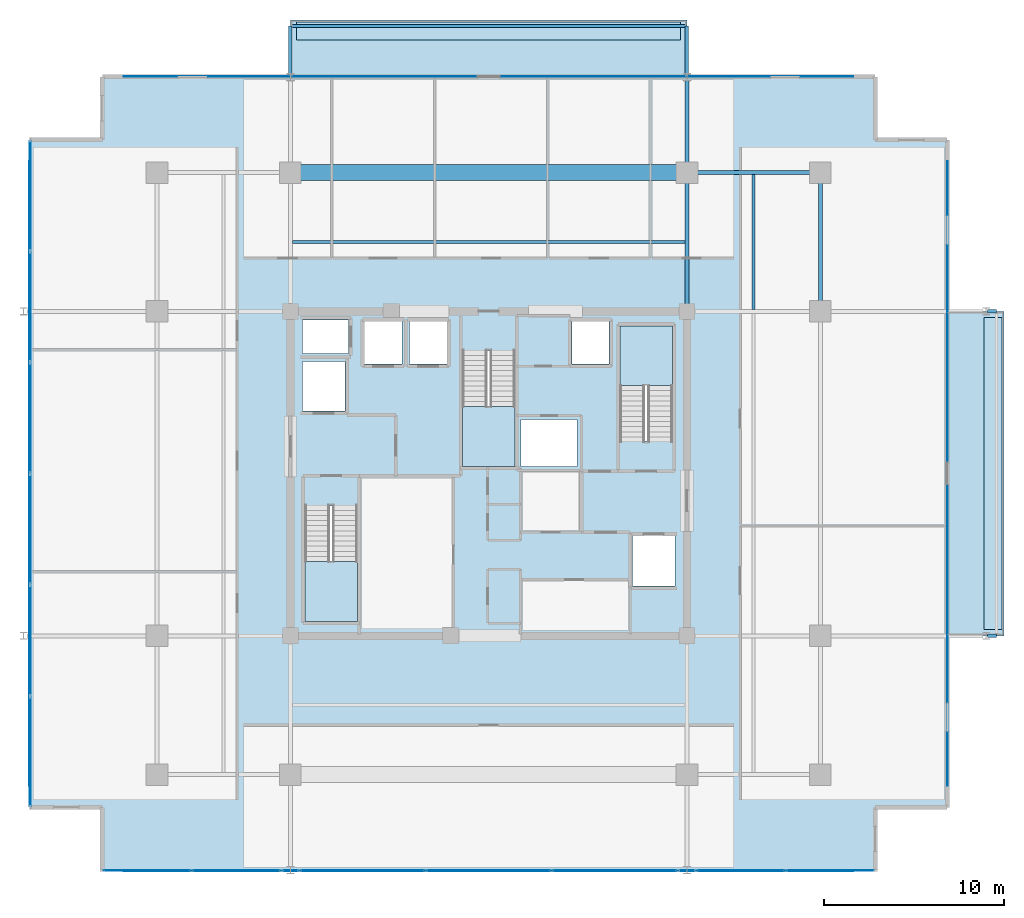
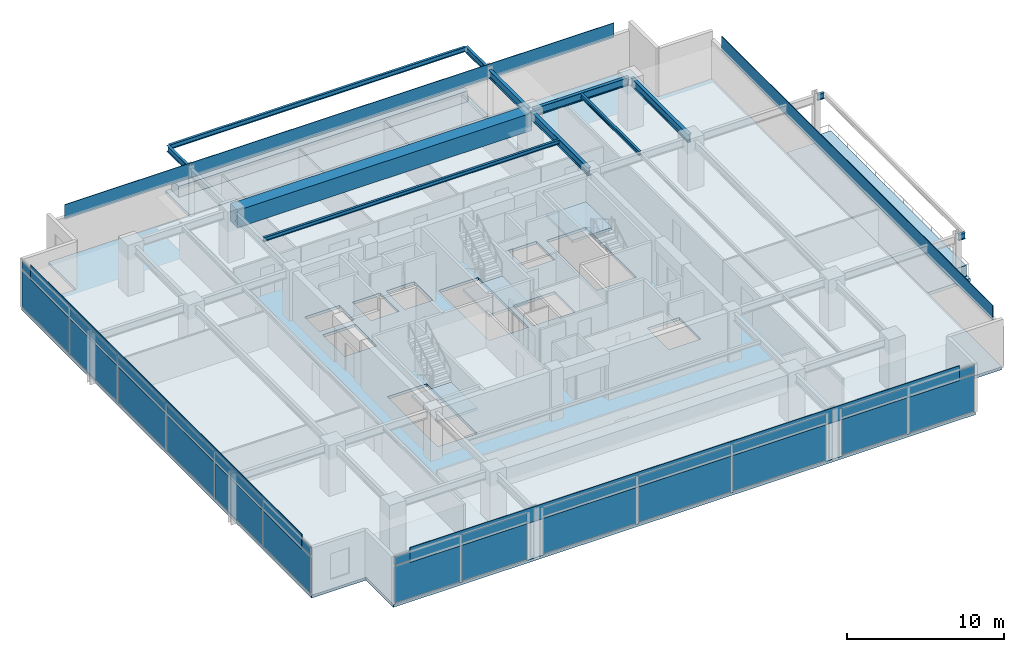
# One storey, part 12 of 20: 30 plates, 12 beams, 8 slabs, 7 elements without a shape of their own.
"""IFC4 building model written with IfcOpenShell, lengths in metres."""

from ifc_helpers import new_model, si_unit, direction, frame, origin, origin_2d, place, context, subcontext, project, spatial, polyline, rectangle, i_section, outline, extrude, material, layer, layer_set, material_profile, profile_set, type_object, element, aggregate, save


model = new_model("IFC4")

# Units and contexts
model_context = context("Model", 3, precision=1e-05, world=origin(), true_north=direction((0.0, 1.0)))
body_context = subcontext(model_context, "Body", "Model", "MODEL_VIEW")
ifc_project = project(units=[si_unit("LENGTHUNIT", "METRE"), si_unit("AREAUNIT", "SQUARE_METRE"), si_unit("VOLUMEUNIT", "CUBIC_METRE"), si_unit("PLANEANGLEUNIT", "RADIAN"), si_unit("MASSUNIT", "GRAM", prefix="KILO")], contexts=[model_context])

# Site, building, storey
site_placement = place(None, origin())
site = spatial("IfcSite", under=ifc_project, at=site_placement, CompositionType="ELEMENT")
building_placement = place(site_placement, origin())
building = spatial("IfcBuilding", under=site, at=building_placement, Name="Kovane Verandah Tower", CompositionType="ELEMENT")
storey_placement = place(building_placement, frame((0.0, 0.0, 287.199951171875)))
storey = spatial("IfcBuildingStorey", under=building, at=storey_placement, Name="L67", CompositionType="ELEMENT", Elevation=287.199951171875)

# Beams
ifc_material_1 = material(Name="Concrete C80/95", Category="concrete")
ifc_material_profile_1 = material_profile(ifc_material_1, rectangle(XDim=0.89990234375, YDim=1.35009765625, at=origin_2d()), Name="RCB900x1350")
ifc_profile_set_1 = profile_set([ifc_material_profile_1], Name="Concrete C80/95")
beam_type_1 = type_object("IfcBeamType", Name="BM-TR-900x1350", PredefinedType="BEAM", material=ifc_profile_set_1)
beam_1_placement = place(storey_placement, frame((29.179931640625, 44.199951171875, 3.110107421875), z_axis=(1.0, 0.0, 0.0), x_axis=(0.0, 1.0, 0.0)))
element("IfcBeam", 1, at=beam_1_placement, inside=storey, type_object=beam_type_1, Name="L67 Primary Tower Girder G-RN2", PredefinedType="BEAM", context=body_context, shape_type="SweptSolid", body=[
    extrude(rectangle(XDim=0.89990234375, YDim=1.35009765625, at=origin_2d()), origin(), (0.0, 0.0, 1.0), 21.64013671875),
])
ifc_material_2 = material(Name="Steel S355", Category="steel")
ifc_material_profile_2 = material_profile(ifc_material_2, i_section(OverallWidth=0.230224609375, OverallDepth=0.6171875, WebThickness=0.01318359375, FlangeThickness=0.022216796875, FilletRadius=0.0126953125, at=origin_2d()), Name="UB610x229x140")
ifc_profile_set_2 = profile_set([ifc_material_profile_2], Name="Steel S355")
beam_type_2 = type_object("IfcBeamType", Name="BM-UB610x140", PredefinedType="BEAM", material=ifc_profile_set_2)
beam_2_placement = place(storey_placement, frame((51.179931640625, 44.199951171875, 3.4765625), z_axis=(1.0, 0.0, 0.0), x_axis=(0.0, 1.0, 0.0)))
element("IfcBeam", 2, at=beam_2_placement, inside=storey, type_object=beam_type_2, Name="L67 Primary Tower Girder G-RN3", PredefinedType="BEAM", context=body_context, shape_type="SweptSolid", body=[
    extrude(i_section(OverallWidth=0.230224609375, OverallDepth=0.6171875, WebThickness=0.01318359375, FlangeThickness=0.022216796875, FilletRadius=0.0126953125, at=origin_2d()), origin(), (0.0, 0.0, 1.0), 7.0400390625),
])
for number, where, z_axis, x_axis, name in (
    (3, (58.39990234375, 36.679931640625, 3.4765625), (0.0, 1.0, 0.0), (-1.0, 0.0, 0.0), "L67 Primary Tower Girder G-RE3"),
    (4, (51.0, 36.679931640625, 3.4765625), (0.0, 1.0, 0.0), (-1.0, 0.0, 0.0), "L67 Primary Tower Girder G-N2"),
):
    element("IfcBeam", number, at=place(storey_placement, frame(where, z_axis=z_axis, x_axis=x_axis)), inside=storey, type_object=beam_type_2, Name=name, PredefinedType="BEAM", context=body_context, shape_type="SweptSolid", body=[
        extrude(i_section(OverallWidth=0.230224609375, OverallDepth=0.6171875, WebThickness=0.01318359375, FlangeThickness=0.022216796875, FilletRadius=0.0126953125, at=origin_2d()), origin(), (0.0, 0.0, 1.0), 7.340087890625),
    ])
beam_3_placement = place(storey_placement, frame((51.0, 44.3798828125, 3.451416015625), z_axis=(0.0, 1.0, 0.0), x_axis=(-1.0, 0.0, 0.0)))
element("IfcBeam", 5, at=beam_3_placement, inside=storey, type_object=beam_type_2, Name="L67 Primary Tower Girder G-VN2", PredefinedType="BEAM", context=body_context, shape_type="SweptSolid", body=[
    extrude(i_section(OverallWidth=0.230224609375, OverallDepth=0.6171875, WebThickness=0.01318359375, FlangeThickness=0.022216796875, FilletRadius=0.0126953125, at=origin_2d()), origin(), (0.0, 0.0, 1.0), 4.940185546875),
])
ifc_material_profile_3 = material_profile(ifc_material_2, i_section(OverallWidth=0.1669921875, OverallDepth=0.310302734375, WebThickness=0.0078125, FlangeThickness=0.013671875, FilletRadius=0.0087890625, at=origin_2d()), Name="UB305x165x54")
ifc_profile_set_3 = profile_set([ifc_material_profile_3], Name="Steel S355")
beam_type_3 = type_object("IfcBeamType", Name="JST-UB305x54", PredefinedType="JOIST", material=ifc_profile_set_3)
beam_4_placement = place(storey_placement, frame((29.113037109375, 40.35009765625, 3.6298828125), z_axis=(1.0, 0.0, 0.0), x_axis=(0.0, 1.0, 0.0)))
element("IfcBeam", 6, at=beam_4_placement, inside=storey, type_object=beam_type_3, Name="L67 Secondary Composite Joist J-N1", PredefinedType="JOIST", context=body_context, shape_type="SweptSolid", body=[
    extrude(i_section(OverallWidth=0.1669921875, OverallDepth=0.310302734375, WebThickness=0.0078125, FlangeThickness=0.013671875, FilletRadius=0.0087890625, at=origin_2d()), origin(), (0.0, 0.0, 1.0), 21.77392578125),
])
beam_5_placement = place(storey_placement, frame((54.699951171875, 36.613037109375, 3.6298828125), z_axis=(0.0, 1.0, 0.0), x_axis=(-1.0, 0.0, 0.0)))
element("IfcBeam", 7, at=beam_5_placement, inside=storey, type_object=beam_type_3, Name="L67 Secondary Composite Joist J-NE1", PredefinedType="JOIST", context=body_context, shape_type="SweptSolid", body=[
    extrude(i_section(OverallWidth=0.1669921875, OverallDepth=0.310302734375, WebThickness=0.0078125, FlangeThickness=0.013671875, FilletRadius=0.0087890625, at=origin_2d()), origin(), (0.0, 0.0, 1.0), 7.473876953125),
])
ifc_material_profile_4 = material_profile(ifc_material_2, i_section(OverallWidth=0.19287109375, OverallDepth=0.46728515625, WebThickness=0.011474609375, FlangeThickness=0.01953125, FilletRadius=0.01025390625, at=origin_2d()), Name="UB457x191x98")
ifc_profile_set_4 = profile_set([ifc_material_profile_4], Name="Steel S355")
beam_type_4 = type_object("IfcBeamType", Name="JST-UB457x98", PredefinedType="JOIST", material=ifc_profile_set_4)
for number, where, z_axis, x_axis, name in (
    (8, (29.0, 49.580078125, 3.5263671875), (0.0, 1.0, 0.0), (-1.0, 0.0, 0.0), "L67 North Planter Girder 1"),
    (9, (51.0, 49.580078125, 3.5263671875), (0.0, 1.0, 0.0), (-1.0, 0.0, 0.0), "L67 North Planter Girder 2"),
):
    element("IfcBeam", number, at=place(storey_placement, frame(where, z_axis=z_axis, x_axis=x_axis)), inside=storey, type_object=beam_type_4, Name=name, PredefinedType="JOIST", context=body_context, shape_type="SweptSolid", body=[
        extrude(i_section(OverallWidth=0.19287109375, OverallDepth=0.46728515625, WebThickness=0.011474609375, FlangeThickness=0.01953125, FilletRadius=0.01025390625, at=origin_2d()), origin(), (0.0, 0.0, 1.0), 2.75048828125),
    ])
for number, where, z_axis, x_axis, name in (
    (10, (67.679931640625, 18.5, 3.5263671875), (1.0, 0.0, 0.0), (0.0, 1.0, 0.0), "L67 East Planter Girder 1"),
    (11, (67.679931640625, 36.5, 3.5263671875), (1.0, 0.0, 0.0), (0.0, 1.0, 0.0), "L67 East Planter Girder 2"),
):
    element("IfcBeam", number, at=place(storey_placement, frame(where, z_axis=z_axis, x_axis=x_axis)), inside=storey, type_object=beam_type_4, Name=name, PredefinedType="JOIST", context=body_context, shape_type="SweptSolid", body=[
        extrude(i_section(OverallWidth=0.19287109375, OverallDepth=0.46728515625, WebThickness=0.011474609375, FlangeThickness=0.01953125, FilletRadius=0.01025390625, at=origin_2d()), origin(), (0.0, 0.0, 1.0), 0.501708984375),
    ])
ifc_material_profile_5 = material_profile(ifc_material_2, i_section(OverallWidth=0.173095703125, OverallDepth=0.36328125, WebThickness=0.009033203125, FlangeThickness=0.015625, FilletRadius=0.01025390625, at=origin_2d()), Name="UB356x171x67")
ifc_profile_set_5 = profile_set([ifc_material_profile_5], Name="Steel S355")
beam_type_5 = type_object("IfcBeamType", Name="SPD-UB356x67", PredefinedType="USERDEFINED", material=ifc_profile_set_5)
beam_6_placement = place(storey_placement, frame((29.094482421875, 52.33056640625, 3.578369140625), z_axis=(1.0, 0.0, 0.0), x_axis=(0.0, 1.0, 0.0)))
element("IfcBeam", 12, at=beam_6_placement, inside=storey, type_object=beam_type_5, Name="L67 North Planter Edge Spandrel", ObjectType="SPANDREL", PredefinedType="USERDEFINED", context=body_context, shape_type="SweptSolid", body=[
    extrude(i_section(OverallWidth=0.173095703125, OverallDepth=0.36328125, WebThickness=0.009033203125, FlangeThickness=0.015625, FilletRadius=0.01025390625, at=origin_2d()), origin(), (0.0, 0.0, 1.0), 21.81103515625),
])

# Curtain wall, plates
ifc_material_3 = material(Name="Champagne Anodised Aluminium Frame with Low-E Clear Laminated Glass", Category="aluminium")
curtain_wall_type = type_object("IfcCurtainWallType", Name="CW-SYS-05-HIGH", PredefinedType="NOTDEFINED", material=ifc_material_3)
curtain_wall_1_placement = place(storey_placement, origin())
curtain_wall_1 = element("IfcCurtainWall", 13, at=curtain_wall_1_placement, inside=storey, type_object=curtain_wall_type, Name="L67 S Unitised Curtain Wall-1", PredefinedType="NOTDEFINED")
ifc_material_4 = material(Name="Pale Champagne Anodised Aluminium Insulated Spandrel", Category="aluminium")
ifc_layer_1 = layer(ifc_material_4, 0.0400390625)
ifc_layer_set_1 = layer_set([ifc_layer_1], Name="Pale Champagne Anodised Aluminium Insulated Spandrel")
plate_type_1 = type_object("IfcPlateType", Name="PL-CW-SPD-40", PredefinedType="SHEET", material=ifc_layer_set_1)
plate_1_placement = place(storey_placement, frame((21.0419921875, 5.485595703125, 3.05517578125), z_axis=(0.0, 0.0, 1.0), x_axis=(1.0, 0.0, 0.0)))
plate_1 = element("IfcPlate", 14, at=plate_1_placement, type_object=plate_type_1, Name="L67 S Unitised Curtain Wall-1 Spandrel Panel 1", PredefinedType="SHEET", context=body_context, shape_type="SweptSolid", body=[
    extrude(rectangle(XDim=4.818603515625, YDim=0.0400390625, at=origin_2d()), origin(), (0.0, 0.0, 1.0), 0.639892578125),
])
plate_2_placement = place(storey_placement, frame((26.000732421875, 5.485595703125, 3.05517578125), z_axis=(0.0, 0.0, 1.0), x_axis=(1.0, 0.0, 0.0)))
plate_2 = element("IfcPlate", 15, at=plate_2_placement, type_object=plate_type_1, Name="L67 S Unitised Curtain Wall-1 Spandrel Panel 2", PredefinedType="SHEET", context=body_context, shape_type="SweptSolid", body=[
    extrude(rectangle(XDim=4.818603515625, YDim=0.0400390625, at=origin_2d()), origin(), (0.0, 0.0, 1.0), 0.639892578125),
])

curtain_wall_2_placement = place(storey_placement, origin())
curtain_wall_2 = element("IfcCurtainWall", 16, at=curtain_wall_2_placement, inside=storey, type_object=curtain_wall_type, Name="L67 S Unitised Curtain Wall-2", PredefinedType="NOTDEFINED")
plate_3_placement = place(storey_placement, frame((33.01318359375, 5.485595703125, 3.05517578125), z_axis=(0.0, 0.0, 1.0), x_axis=(1.0, 0.0, 0.0)))
plate_3 = element("IfcPlate", 17, at=plate_3_placement, type_object=plate_type_1, Name="L67 S Unitised Curtain Wall-2 Spandrel Panel 1", PredefinedType="SHEET", context=body_context, shape_type="SweptSolid", body=[
    extrude(rectangle(XDim=6.8466796875, YDim=0.0400390625, at=origin_2d()), origin(), (0.0, 0.0, 1.0), 0.639892578125),
])
plate_4_placement = place(storey_placement, frame((40.0, 5.485595703125, 3.05517578125), z_axis=(0.0, 0.0, 1.0), x_axis=(1.0, 0.0, 0.0)))
plate_4 = element("IfcPlate", 18, at=plate_4_placement, type_object=plate_type_1, Name="L67 S Unitised Curtain Wall-2 Spandrel Panel 2", PredefinedType="SHEET", context=body_context, shape_type="SweptSolid", body=[
    extrude(rectangle(XDim=6.8466796875, YDim=0.0400390625, at=origin_2d()), origin(), (0.0, 0.0, 1.0), 0.639892578125),
])
plate_5_placement = place(storey_placement, frame((46.98681640625, 5.485595703125, 3.05517578125), z_axis=(0.0, 0.0, 1.0), x_axis=(1.0, 0.0, 0.0)))
plate_5 = element("IfcPlate", 19, at=plate_5_placement, type_object=plate_type_1, Name="L67 S Unitised Curtain Wall-2 Spandrel Panel 3", PredefinedType="SHEET", context=body_context, shape_type="SweptSolid", body=[
    extrude(rectangle(XDim=6.8466796875, YDim=0.0400390625, at=origin_2d()), origin(), (0.0, 0.0, 1.0), 0.639892578125),
])

curtain_wall_3_placement = place(storey_placement, origin())
curtain_wall_3 = element("IfcCurtainWall", 20, at=curtain_wall_3_placement, inside=storey, type_object=curtain_wall_type, Name="L67 S Unitised Curtain Wall-3", PredefinedType="NOTDEFINED")
plate_6_placement = place(storey_placement, frame((53.99951171875, 5.485595703125, 3.05517578125), z_axis=(0.0, 0.0, 1.0), x_axis=(1.0, 0.0, 0.0)))
plate_6 = element("IfcPlate", 21, at=plate_6_placement, type_object=plate_type_1, Name="L67 S Unitised Curtain Wall-3 Spandrel Panel 1", PredefinedType="SHEET", context=body_context, shape_type="SweptSolid", body=[
    extrude(rectangle(XDim=4.818603515625, YDim=0.0400390625, at=origin_2d()), origin(), (0.0, 0.0, 1.0), 0.639892578125),
])
plate_7_placement = place(storey_placement, frame((58.9580078125, 5.485595703125, 3.05517578125), z_axis=(0.0, 0.0, 1.0), x_axis=(1.0, 0.0, 0.0)))
plate_7 = element("IfcPlate", 22, at=plate_7_placement, type_object=plate_type_1, Name="L67 S Unitised Curtain Wall-3 Spandrel Panel 2", PredefinedType="SHEET", context=body_context, shape_type="SweptSolid", body=[
    extrude(rectangle(XDim=4.818603515625, YDim=0.0400390625, at=origin_2d()), origin(), (0.0, 0.0, 1.0), 0.639892578125),
])

curtain_wall_4_placement = place(storey_placement, origin())
curtain_wall_4 = element("IfcCurtainWall", 23, at=curtain_wall_4_placement, inside=storey, type_object=curtain_wall_type, Name="L67 W Unitised Curtain Wall", PredefinedType="NOTDEFINED")
plate_8_placement = place(storey_placement, frame((14.5625, 42.9287109375, 3.05517578125), z_axis=(0.0, 0.0, 1.0), x_axis=(0.0, -1.0, 0.0)))
plate_8 = element("IfcPlate", 24, at=plate_8_placement, type_object=plate_type_1, Name="L67 W Unitised Curtain Wall Spandrel Panel 1", PredefinedType="SHEET", context=body_context, shape_type="SweptSolid", body=[
    extrude(rectangle(XDim=6.031494140625, YDim=0.0400390625, at=origin_2d()), origin(), (0.0, 0.0, 1.0), 0.639892578125),
])
plate_9_placement = place(storey_placement, frame((14.5625, 36.757080078125, 3.05517578125), z_axis=(0.0, 0.0, 1.0), x_axis=(0.0, -1.0, 0.0)))
plate_9 = element("IfcPlate", 25, at=plate_9_placement, type_object=plate_type_1, Name="L67 W Unitised Curtain Wall Spandrel Panel 2", PredefinedType="SHEET", context=body_context, shape_type="SweptSolid", body=[
    extrude(rectangle(XDim=6.031494140625, YDim=0.0400390625, at=origin_2d()), origin(), (0.0, 0.0, 1.0), 0.639892578125),
])
plate_10_placement = place(storey_placement, frame((14.5625, 30.585693359375, 3.05517578125), z_axis=(0.0, 0.0, 1.0), x_axis=(0.0, -1.0, 0.0)))
plate_10 = element("IfcPlate", 26, at=plate_10_placement, type_object=plate_type_1, Name="L67 W Unitised Curtain Wall Spandrel Panel 3", PredefinedType="SHEET", context=body_context, shape_type="SweptSolid", body=[
    extrude(rectangle(XDim=6.031494140625, YDim=0.0400390625, at=origin_2d()), origin(), (0.0, 0.0, 1.0), 0.639892578125),
])
plate_11_placement = place(storey_placement, frame((14.5625, 24.414306640625, 3.05517578125), z_axis=(0.0, 0.0, 1.0), x_axis=(0.0, -1.0, 0.0)))
plate_11 = element("IfcPlate", 27, at=plate_11_placement, type_object=plate_type_1, Name="L67 W Unitised Curtain Wall Spandrel Panel 4", PredefinedType="SHEET", context=body_context, shape_type="SweptSolid", body=[
    extrude(rectangle(XDim=6.031494140625, YDim=0.0400390625, at=origin_2d()), origin(), (0.0, 0.0, 1.0), 0.639892578125),
])
plate_12_placement = place(storey_placement, frame((14.5625, 18.242919921875, 3.05517578125), z_axis=(0.0, 0.0, 1.0), x_axis=(0.0, -1.0, 0.0)))
plate_12 = element("IfcPlate", 28, at=plate_12_placement, type_object=plate_type_1, Name="L67 W Unitised Curtain Wall Spandrel Panel 5", PredefinedType="SHEET", context=body_context, shape_type="SweptSolid", body=[
    extrude(rectangle(XDim=6.031494140625, YDim=0.0400390625, at=origin_2d()), origin(), (0.0, 0.0, 1.0), 0.639892578125),
])
plate_13_placement = place(storey_placement, frame((14.5625, 12.0712890625, 3.05517578125), z_axis=(0.0, 0.0, 1.0), x_axis=(0.0, -1.0, 0.0)))
plate_13 = element("IfcPlate", 29, at=plate_13_placement, type_object=plate_type_1, Name="L67 W Unitised Curtain Wall Spandrel Panel 6", PredefinedType="SHEET", context=body_context, shape_type="SweptSolid", body=[
    extrude(rectangle(XDim=6.031494140625, YDim=0.0400390625, at=origin_2d()), origin(), (0.0, 0.0, 1.0), 0.639892578125),
])

# Plate
ifc_material_5 = material(Name="Clear Low-E Laminated Double Glazing", Category="glass")
ifc_layer_2 = layer(ifc_material_5, 0.031982421875)
ifc_layer_set_2 = layer_set([ifc_layer_2], Name="Clear Low-E Laminated Double Glazing")
plate_type_2 = type_object("IfcPlateType", Name="PL-CW-VIS-32", PredefinedType="CURTAIN_PANEL", material=ifc_layer_set_2)
plate_14_placement = place(storey_placement, frame((21.0419921875, 5.485595703125, 0.10009765625), z_axis=(0.0, 0.0, 1.0), x_axis=(1.0, 0.0, 0.0)))
plate_14 = element("IfcPlate", 30, at=plate_14_placement, type_object=plate_type_2, Name="L67 S Unitised Curtain Wall-1 Vision Panel 1", PredefinedType="CURTAIN_PANEL", context=body_context, shape_type="SweptSolid", body=[
    extrude(rectangle(XDim=4.818603515625, YDim=0.031982421875, at=origin_2d()), origin(), (0.0, 0.0, 1.0), 2.85498046875),
])

plate_15_placement = place(storey_placement, frame((26.000732421875, 5.485595703125, 0.10009765625), z_axis=(0.0, 0.0, 1.0), x_axis=(1.0, 0.0, 0.0)))
plate_15 = element("IfcPlate", 31, at=plate_15_placement, type_object=plate_type_2, Name="L67 S Unitised Curtain Wall-1 Vision Panel 2", PredefinedType="CURTAIN_PANEL", context=body_context, shape_type="SweptSolid", body=[
    extrude(rectangle(XDim=4.818603515625, YDim=0.031982421875, at=origin_2d()), origin(), (0.0, 0.0, 1.0), 2.85498046875),
])

aggregate(curtain_wall_1, [plate_14, plate_1, plate_15, plate_2])

plate_16_placement = place(storey_placement, frame((33.01318359375, 5.485595703125, 0.10009765625), z_axis=(0.0, 0.0, 1.0), x_axis=(1.0, 0.0, 0.0)))
plate_16 = element("IfcPlate", 32, at=plate_16_placement, type_object=plate_type_2, Name="L67 S Unitised Curtain Wall-2 Vision Panel 1", PredefinedType="CURTAIN_PANEL", context=body_context, shape_type="SweptSolid", body=[
    extrude(rectangle(XDim=6.8466796875, YDim=0.031982421875, at=origin_2d()), origin(), (0.0, 0.0, 1.0), 2.85498046875),
])

plate_17_placement = place(storey_placement, frame((40.0, 5.485595703125, 0.10009765625), z_axis=(0.0, 0.0, 1.0), x_axis=(1.0, 0.0, 0.0)))
plate_17 = element("IfcPlate", 33, at=plate_17_placement, type_object=plate_type_2, Name="L67 S Unitised Curtain Wall-2 Vision Panel 2", PredefinedType="CURTAIN_PANEL", context=body_context, shape_type="SweptSolid", body=[
    extrude(rectangle(XDim=6.8466796875, YDim=0.031982421875, at=origin_2d()), origin(), (0.0, 0.0, 1.0), 2.85498046875),
])

plate_18_placement = place(storey_placement, frame((46.98681640625, 5.485595703125, 0.10009765625), z_axis=(0.0, 0.0, 1.0), x_axis=(1.0, 0.0, 0.0)))
plate_18 = element("IfcPlate", 34, at=plate_18_placement, type_object=plate_type_2, Name="L67 S Unitised Curtain Wall-2 Vision Panel 3", PredefinedType="CURTAIN_PANEL", context=body_context, shape_type="SweptSolid", body=[
    extrude(rectangle(XDim=6.8466796875, YDim=0.031982421875, at=origin_2d()), origin(), (0.0, 0.0, 1.0), 2.85498046875),
])

aggregate(curtain_wall_2, [plate_16, plate_3, plate_17, plate_4, plate_18, plate_5])

plate_19_placement = place(storey_placement, frame((53.99951171875, 5.485595703125, 0.10009765625), z_axis=(0.0, 0.0, 1.0), x_axis=(1.0, 0.0, 0.0)))
plate_19 = element("IfcPlate", 35, at=plate_19_placement, type_object=plate_type_2, Name="L67 S Unitised Curtain Wall-3 Vision Panel 1", PredefinedType="CURTAIN_PANEL", context=body_context, shape_type="SweptSolid", body=[
    extrude(rectangle(XDim=4.818603515625, YDim=0.031982421875, at=origin_2d()), origin(), (0.0, 0.0, 1.0), 2.85498046875),
])

plate_20_placement = place(storey_placement, frame((58.9580078125, 5.485595703125, 0.10009765625), z_axis=(0.0, 0.0, 1.0), x_axis=(1.0, 0.0, 0.0)))
plate_20 = element("IfcPlate", 36, at=plate_20_placement, type_object=plate_type_2, Name="L67 S Unitised Curtain Wall-3 Vision Panel 2", PredefinedType="CURTAIN_PANEL", context=body_context, shape_type="SweptSolid", body=[
    extrude(rectangle(XDim=4.818603515625, YDim=0.031982421875, at=origin_2d()), origin(), (0.0, 0.0, 1.0), 2.85498046875),
])

aggregate(curtain_wall_3, [plate_19, plate_6, plate_20, plate_7])

plate_21_placement = place(storey_placement, frame((14.5625, 42.9287109375, 0.10009765625), z_axis=(0.0, 0.0, 1.0), x_axis=(0.0, -1.0, 0.0)))
plate_21 = element("IfcPlate", 37, at=plate_21_placement, type_object=plate_type_2, Name="L67 W Unitised Curtain Wall Vision Panel 1", PredefinedType="CURTAIN_PANEL", context=body_context, shape_type="SweptSolid", body=[
    extrude(rectangle(XDim=6.031494140625, YDim=0.031982421875, at=origin_2d()), origin(), (0.0, 0.0, 1.0), 2.85498046875),
])

plate_22_placement = place(storey_placement, frame((14.5625, 36.757080078125, 0.10009765625), z_axis=(0.0, 0.0, 1.0), x_axis=(0.0, -1.0, 0.0)))
plate_22 = element("IfcPlate", 38, at=plate_22_placement, type_object=plate_type_2, Name="L67 W Unitised Curtain Wall Vision Panel 2", PredefinedType="CURTAIN_PANEL", context=body_context, shape_type="SweptSolid", body=[
    extrude(rectangle(XDim=6.031494140625, YDim=0.031982421875, at=origin_2d()), origin(), (0.0, 0.0, 1.0), 2.85498046875),
])

plate_23_placement = place(storey_placement, frame((14.5625, 30.585693359375, 0.10009765625), z_axis=(0.0, 0.0, 1.0), x_axis=(0.0, -1.0, 0.0)))
plate_23 = element("IfcPlate", 39, at=plate_23_placement, type_object=plate_type_2, Name="L67 W Unitised Curtain Wall Vision Panel 3", PredefinedType="CURTAIN_PANEL", context=body_context, shape_type="SweptSolid", body=[
    extrude(rectangle(XDim=6.031494140625, YDim=0.031982421875, at=origin_2d()), origin(), (0.0, 0.0, 1.0), 2.85498046875),
])

plate_24_placement = place(storey_placement, frame((14.5625, 24.414306640625, 0.10009765625), z_axis=(0.0, 0.0, 1.0), x_axis=(0.0, -1.0, 0.0)))
plate_24 = element("IfcPlate", 40, at=plate_24_placement, type_object=plate_type_2, Name="L67 W Unitised Curtain Wall Vision Panel 4", PredefinedType="CURTAIN_PANEL", context=body_context, shape_type="SweptSolid", body=[
    extrude(rectangle(XDim=6.031494140625, YDim=0.031982421875, at=origin_2d()), origin(), (0.0, 0.0, 1.0), 2.85498046875),
])

plate_25_placement = place(storey_placement, frame((14.5625, 18.242919921875, 0.10009765625), z_axis=(0.0, 0.0, 1.0), x_axis=(0.0, -1.0, 0.0)))
plate_25 = element("IfcPlate", 41, at=plate_25_placement, type_object=plate_type_2, Name="L67 W Unitised Curtain Wall Vision Panel 5", PredefinedType="CURTAIN_PANEL", context=body_context, shape_type="SweptSolid", body=[
    extrude(rectangle(XDim=6.031494140625, YDim=0.031982421875, at=origin_2d()), origin(), (0.0, 0.0, 1.0), 2.85498046875),
])

plate_26_placement = place(storey_placement, frame((14.5625, 12.0712890625, 0.10009765625), z_axis=(0.0, 0.0, 1.0), x_axis=(0.0, -1.0, 0.0)))
plate_26 = element("IfcPlate", 42, at=plate_26_placement, type_object=plate_type_2, Name="L67 W Unitised Curtain Wall Vision Panel 6", PredefinedType="CURTAIN_PANEL", context=body_context, shape_type="SweptSolid", body=[
    extrude(rectangle(XDim=6.031494140625, YDim=0.031982421875, at=origin_2d()), origin(), (0.0, 0.0, 1.0), 2.85498046875),
])

aggregate(curtain_wall_4, [plate_21, plate_8, plate_22, plate_9, plate_23, plate_10, plate_24, plate_11, plate_25, plate_12, plate_26, plate_13])

# Plates
ifc_material_6 = material(Name="Perforated Pale Champagne Anodised Aluminium Solar Screen", Category="aluminium")
ifc_layer_3 = layer(ifc_material_6, 0.050048828125)
ifc_layer_set_3 = layer_set([ifc_layer_3], Name="Perforated Pale Champagne Anodised Aluminium Solar Screen")
plate_type_3 = type_object("IfcPlateType", Name="PL-SCREEN-50", PredefinedType="USERDEFINED", material=ifc_layer_set_3)
plate_27_placement = place(storey_placement, frame((40.0, 5.470703125, 2.885009765625), z_axis=(0.0, 0.0, 1.0), x_axis=(1.0, 0.0, 0.0)))
element("IfcPlate", 43, at=plate_27_placement, inside=storey, type_object=plate_type_3, Name="L67 S Perforated Champagne-Gold Solar Screen", ObjectType="SCREEN", PredefinedType="USERDEFINED", context=body_context, shape_type="SweptSolid", body=[
    extrude(rectangle(XDim=40.47509765625, YDim=0.050048828125, at=origin_2d()), origin(), (0.0, 0.0, 1.0), 1.14990234375),
])
plate_28_placement = place(storey_placement, frame((65.452392578125, 27.5, 2.885009765625), z_axis=(0.0, 0.0, 1.0), x_axis=(0.0, 1.0, 0.0)))
element("IfcPlate", 44, at=plate_28_placement, inside=storey, type_object=plate_type_3, Name="L67 E Perforated Champagne-Gold Solar Screen", ObjectType="SCREEN", PredefinedType="USERDEFINED", context=body_context, shape_type="SweptSolid", body=[
    extrude(rectangle(XDim=34.62890625, YDim=0.050048828125, at=origin_2d()), origin(), (0.0, 0.0, 1.0), 1.14990234375),
])
plate_29_placement = place(storey_placement, frame((40.0, 49.529296875, 2.885009765625), z_axis=(0.0, 0.0, 1.0), x_axis=(-1.0, 0.0, 0.0)))
element("IfcPlate", 45, at=plate_29_placement, inside=storey, type_object=plate_type_3, Name="L67 N Perforated Champagne-Gold Solar Screen", ObjectType="SCREEN", PredefinedType="USERDEFINED", context=body_context, shape_type="SweptSolid", body=[
    extrude(rectangle(XDim=40.47509765625, YDim=0.050048828125, at=origin_2d()), origin(), (0.0, 0.0, 1.0), 1.14990234375),
])
plate_30_placement = place(storey_placement, frame((14.547607421875, 27.5, 2.885009765625), z_axis=(0.0, 0.0, 1.0), x_axis=(0.0, -1.0, 0.0)))
element("IfcPlate", 46, at=plate_30_placement, inside=storey, type_object=plate_type_3, Name="L67 W Perforated Champagne-Gold Solar Screen", ObjectType="SCREEN", PredefinedType="USERDEFINED", context=body_context, shape_type="SweptSolid", body=[
    extrude(rectangle(XDim=34.62890625, YDim=0.050048828125, at=origin_2d()), origin(), (0.0, 0.0, 1.0), 1.14990234375),
])

# Slabs
ifc_material_7 = material(Name="Concrete C45/55", Category="concrete")
ifc_layer_4 = layer(ifc_material_7, 0.239990234375)
ifc_layer_set_4 = layer_set([ifc_layer_4], Name="Concrete C45/55")
slab_type_1 = type_object("IfcSlabType", Name="SL-BALC-240", PredefinedType="FLOOR", material=ifc_layer_set_4)
slab_1_placement = place(storey_placement, frame((0.0, 0.0, -0.239990234375)))
element("IfcSlab", 47, at=slab_1_placement, inside=storey, type_object=slab_type_1, Name="L67 N Planted Verandah Balcony Slab", PredefinedType="FLOOR", context=body_context, shape_type="SweptSolid", body=[
    extrude(outline(polyline([(29.0, 49.514404296875), (51.0, 49.514404296875), (51.0, 52.664306640625), (29.0, 52.664306640625), (29.0, 49.514404296875)])), origin(), (0.0, 0.0, 1.0), 0.239990234375),
])
slab_2_placement = place(storey_placement, frame((0.0, 0.0, -0.239990234375)))
element("IfcSlab", 48, at=slab_2_placement, inside=storey, type_object=slab_type_1, Name="L67 E Planted Verandah Balcony Slab", PredefinedType="FLOOR", context=body_context, shape_type="SweptSolid", body=[
    extrude(outline(polyline([(65.4375, 18.5), (68.58740234375, 18.5), (68.58740234375, 36.5), (65.4375, 36.5), (65.4375, 18.5)])), origin(), (0.0, 0.0, 1.0), 0.239990234375),
])
ifc_layer_5 = layer(ifc_material_7, 0.215087890625)
ifc_layer_set_5 = layer_set([ifc_layer_5], Name="Concrete C45/55")
slab_type_2 = type_object("IfcSlabType", Name="SL-HIGH-215", PredefinedType="FLOOR", material=ifc_layer_set_5)
slab_3_placement = place(storey_placement, frame((0.0, 0.0, -0.21484375)))
element("IfcSlab", 49, at=slab_3_placement, inside=storey, type_object=slab_type_2, Name="L67 Structural Floor Slab", PredefinedType="FLOOR", context=body_context, shape_type="SweptSolid", body=[
    extrude(outline(polyline([(18.5625, 5.485595703125), (61.4375, 5.485595703125), (61.4375, 8.985595703125), (65.4375, 8.985595703125), (65.4375, 46.014404296875), (61.4375, 46.014404296875), (61.4375, 49.514404296875), (18.5625, 49.514404296875), (18.5625, 46.014404296875), (14.5625, 46.014404296875), (14.5625, 8.985595703125), (18.5625, 8.985595703125), (18.5625, 5.485595703125)]), holes=[polyline([(29.800048828125, 19.300048828125), (32.719970703125, 19.300048828125), (32.719970703125, 25.705078125), (29.800048828125, 25.705078125), (29.800048828125, 19.300048828125)]), polyline([(47.280029296875, 29.294921875), (50.199951171875, 29.294921875), (50.199951171875, 35.699951171875), (47.280029296875, 35.699951171875), (47.280029296875, 29.294921875)]), polyline([(38.5400390625, 27.89990234375), (41.4599609375, 27.89990234375), (41.4599609375, 34.304931640625), (38.5400390625, 34.304931640625), (38.5400390625, 27.89990234375)]), polyline([(29.669921875, 30.969970703125), (32.030029296875, 30.969970703125), (32.030029296875, 33.72998046875), (29.669921875, 33.72998046875), (29.669921875, 30.969970703125)]), polyline([(47.969970703125, 21.27001953125), (50.330078125, 21.27001953125), (50.330078125, 24.030029296875), (47.969970703125, 24.030029296875), (47.969970703125, 21.27001953125)]), polyline([(29.669921875, 34.169921875), (32.22998046875, 34.169921875), (32.22998046875, 36.030029296875), (29.669921875, 36.030029296875), (29.669921875, 34.169921875)]), polyline([(33.1201171875, 33.570068359375), (35.179931640625, 33.570068359375), (35.179931640625, 35.929931640625), (33.1201171875, 35.929931640625), (33.1201171875, 33.570068359375)]), polyline([(35.6201171875, 33.570068359375), (37.679931640625, 33.570068359375), (37.679931640625, 35.929931640625), (35.6201171875, 35.929931640625), (35.6201171875, 33.570068359375)]), polyline([(44.6201171875, 33.570068359375), (46.679931640625, 33.570068359375), (46.679931640625, 35.929931640625), (44.6201171875, 35.929931640625), (44.6201171875, 33.570068359375)]), polyline([(41.800048828125, 27.89990234375), (44.89990234375, 27.89990234375), (44.89990234375, 30.5), (41.800048828125, 30.5), (41.800048828125, 27.89990234375)])]), origin(), (0.0, 0.0, 1.0), 0.21484375),
])

# Stair, slab
stair_type = type_object("IfcStairType", Name="ST-CORE-1380", PredefinedType="HALF_TURN_STAIR", material=ifc_material_7)
stair_1_placement = place(storey_placement, origin())
stair_1 = element("IfcStair", 50, at=stair_1_placement, inside=storey, type_object=stair_type, Name="L67 Exit Stair ST-01", PredefinedType="HALF_TURN_STAIR")
ifc_layer_6 = layer(ifc_material_7, 0.199951171875)
ifc_layer_set_6 = layer_set([ifc_layer_6], Name="Concrete C45/55")
slab_type_3 = type_object("IfcSlabType", Name="SL-LAND-200", PredefinedType="LANDING", material=ifc_layer_set_6)
slab_4_placement = place(storey_placement, frame((0.0, 0.0, 1.800048828125)))
slab_4 = element("IfcSlab", 51, at=slab_4_placement, type_object=slab_type_3, Name="ST-01 landing 1", PredefinedType="LANDING", context=body_context, shape_type="SweptSolid", body=[
    extrude(outline(polyline([(29.800048828125, 22.614990234375), (29.800048828125, 19.300048828125), (32.719970703125, 19.300048828125), (32.719970703125, 22.614990234375), (29.800048828125, 22.614990234375)])), origin(), (0.0, 0.0, 1.0), 0.199951171875),
])
aggregate(stair_1, [slab_4])

stair_2_placement = place(storey_placement, origin())
stair_2 = element("IfcStair", 52, at=stair_2_placement, inside=storey, type_object=stair_type, Name="L67 Exit Stair ST-02", PredefinedType="HALF_TURN_STAIR")
slab_5_placement = place(storey_placement, frame((0.0, 0.0, 1.800048828125)))
slab_5 = element("IfcSlab", 53, at=slab_5_placement, type_object=slab_type_3, Name="ST-02 landing 1", PredefinedType="LANDING", context=body_context, shape_type="SweptSolid", body=[
    extrude(outline(polyline([(50.199951171875, 32.385009765625), (50.199951171875, 35.699951171875), (47.280029296875, 35.699951171875), (47.280029296875, 32.385009765625), (50.199951171875, 32.385009765625)])), origin(), (0.0, 0.0, 1.0), 0.199951171875),
])
aggregate(stair_2, [slab_5])

stair_3_placement = place(storey_placement, origin())
stair_3 = element("IfcStair", 54, at=stair_3_placement, inside=storey, type_object=stair_type, Name="L67 Exit Stair ST-03", PredefinedType="HALF_TURN_STAIR")
slab_6_placement = place(storey_placement, frame((0.0, 0.0, 1.800048828125)))
slab_6 = element("IfcSlab", 55, at=slab_6_placement, type_object=slab_type_3, Name="ST-03 landing 1", PredefinedType="LANDING", context=body_context, shape_type="SweptSolid", body=[
    extrude(outline(polyline([(38.5400390625, 31.215087890625), (38.5400390625, 27.89990234375), (41.4599609375, 27.89990234375), (41.4599609375, 31.215087890625), (38.5400390625, 31.215087890625)])), origin(), (0.0, 0.0, 1.0), 0.199951171875),
])
aggregate(stair_3, [slab_6])

# Slabs
ifc_material_8 = material(Name="Architectural Precast Concrete C45/55 Planter Trough", Category="concrete")
ifc_layer_7 = layer(ifc_material_8, 0.219970703125)
ifc_layer_set_7 = layer_set([ifc_layer_7], Name="Architectural Precast Concrete C45/55 Planter Trough")
slab_type_4 = type_object("IfcSlabType", Name="SL-PLANTER-220", PredefinedType="USERDEFINED", material=ifc_layer_set_7)
slab_7_placement = place(storey_placement, origin())
element("IfcSlab", 56, at=slab_7_placement, inside=storey, type_object=slab_type_4, Name="L67 N Structural Tree Planter", ObjectType="PLANTER", PredefinedType="USERDEFINED", context=body_context, shape_type="SweptSolid", body=[
    extrude(outline(polyline([(29.35009765625, 51.564208984375), (50.64990234375, 51.564208984375), (50.64990234375, 52.564208984375), (29.35009765625, 52.564208984375), (29.35009765625, 51.564208984375)])), origin(), (0.0, 0.0, 1.0), 0.85009765625),
])
slab_8_placement = place(storey_placement, origin())
element("IfcSlab", 57, at=slab_8_placement, inside=storey, type_object=slab_type_4, Name="L67 E Structural Tree Planter", ObjectType="PLANTER", PredefinedType="USERDEFINED", context=body_context, shape_type="SweptSolid", body=[
    extrude(outline(polyline([(67.4873046875, 18.85009765625), (68.4873046875, 18.85009765625), (68.4873046875, 36.14990234375), (67.4873046875, 36.14990234375), (67.4873046875, 18.85009765625)])), origin(), (0.0, 0.0, 1.0), 0.85009765625),
])

save(model, "model.ifc")
